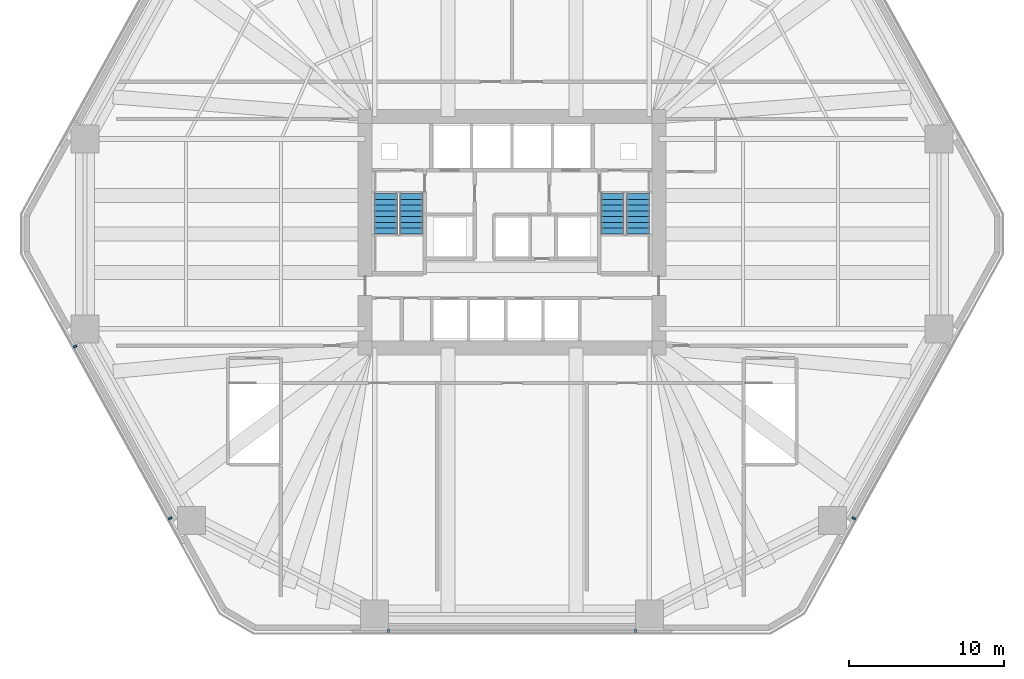
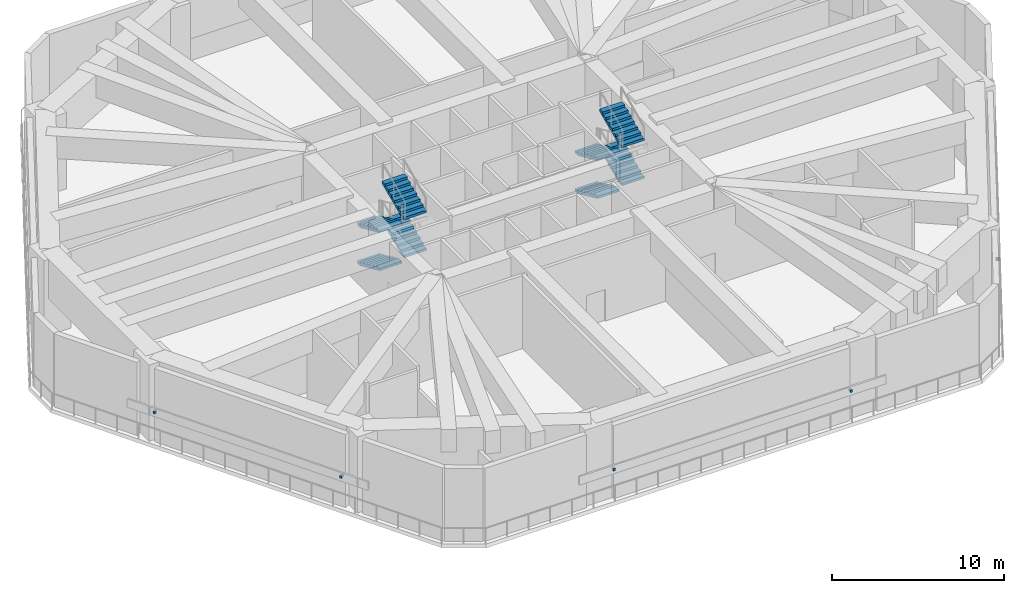
# One storey, part 5 of 12: 8 stair flights, 5 discrete accessories, 2 elements without a shape of their own.
"""IFC4 building model written with IfcOpenShell, lengths in metres."""

import ifcopenshell
import ifcopenshell.guid

model = None  # the IFC model being written
_history = None  # IfcOwnerHistory: only IFC2X3 demands one
_inside = {}  # id of a spatial element -> (the spatial element, [elements in it])
_under = {}  # id of a project, library or spatial element -> (it, [spatial elements below it])
_declared = {}  # id of a project -> (the project, [libraries it declares])
_typed = {}  # id of a type object -> (the type object, [elements of that type])
_made_of = {}  # id of a material, layer set ... -> (it, [elements and type objects made of it])


def new_model(schema):
    """Start an empty IFC model of exactly this schema.

    Asked for "IFC4X3", IfcOpenShell would pick the latest addendum, in which some entities
    have other attributes; the version numbers below select the first issue.
    IFC2X3 requires an IfcOwnerHistory on every rooted entity: one is made here for all.
    """
    global model, _history
    if schema == "IFC4X3":
        model = ifcopenshell.file(schema_version=(4, 3, 0, 0))
    else:
        model = ifcopenshell.file(schema=schema)
    _inside.clear()
    _under.clear()
    _declared.clear()
    _typed.clear()
    _made_of.clear()
    _history = None
    if model.schema == "IFC2X3":
        org = make("IfcOrganization", Name="unknown")
        user = make(
            "IfcPersonAndOrganization",
            ThePerson=make("IfcPerson", FamilyName="unknown"),
            TheOrganization=org,
        )
        app = make(
            "IfcApplication",
            ApplicationDeveloper=org,
            Version="unknown",
            ApplicationFullName="unknown",
            ApplicationIdentifier="unknown",
        )
        _history = make(
            "IfcOwnerHistory",
            OwningUser=user,
            OwningApplication=app,
            ChangeAction="ADDED",
            CreationDate=0,
        )
    return model


def make(cls, **values):
    """One entity of the class cls with the attributes given. An attribute that is None is left unset."""
    return model.create_entity(
        cls, **{name: value for name, value in values.items() if value is not None}
    )


def rooted(cls, **values):
    """An entity with a GlobalId (a new one), such as an element, a storey or a relation."""
    return make(cls, GlobalId=ifcopenshell.guid.new(), OwnerHistory=_history, **values)


def si_unit(unit_type, name, prefix=None):
    """IfcSIUnit, for example si_unit("LENGTHUNIT", "METRE", prefix="MILLI")."""
    return make("IfcSIUnit", UnitType=unit_type, Prefix=prefix, Name=name)


def assignment(units):
    """IfcUnitAssignment: the units of a project."""
    return None if units is None else make("IfcUnitAssignment", Units=units)


def point(xyz):
    """IfcCartesianPoint."""
    return None if xyz is None else make("IfcCartesianPoint", Coordinates=xyz)


def direction(xyz):
    """IfcDirection."""
    return None if xyz is None else make("IfcDirection", DirectionRatios=xyz)


def frame(location, z_axis=None, x_axis=None):
    """IfcAxis2Placement3D, a coordinate frame: its origin and axes. An axis left out is left unset."""
    return make(
        "IfcAxis2Placement3D",
        Location=point(location),
        Axis=direction(z_axis),
        RefDirection=direction(x_axis),
    )


def frame_2d(location, x_axis=None):
    """IfcAxis2Placement2D, a coordinate frame in the plane: its origin and x axis."""
    return make(
        "IfcAxis2Placement2D", Location=point(location), RefDirection=direction(x_axis)
    )


def origin():
    """The frame at (0, 0, 0) with its axes left unset."""
    return frame((0.0, 0.0, 0.0))


def origin_2d():
    """The frame at (0, 0) in the plane with its x axis left unset."""
    return frame_2d((0.0, 0.0))


def place(relative_to, where):
    """IfcLocalPlacement: puts the frame where relative to a parent placement (None: the world)."""
    return make(
        "IfcLocalPlacement", PlacementRelTo=relative_to, RelativePlacement=where
    )


def context(
    kind, dimensions, precision=None, world=None, true_north=None, identifier=None
):
    """IfcGeometricRepresentationContext, for example the 3D "Model" context."""
    return make(
        "IfcGeometricRepresentationContext",
        ContextIdentifier=identifier,
        ContextType=kind,
        CoordinateSpaceDimension=dimensions,
        Precision=precision,
        WorldCoordinateSystem=world,
        TrueNorth=true_north,
    )


def subcontext(parent, identifier, kind, view, scale=None):
    """IfcGeometricRepresentationSubContext, for example "Body" below "Model"."""
    return make(
        "IfcGeometricRepresentationSubContext",
        ContextIdentifier=identifier,
        ContextType=kind,
        ParentContext=parent,
        TargetScale=scale,
        TargetView=view,
    )


def project(units=None, contexts=None):
    """IfcProject with its units and contexts."""
    return rooted(
        "IfcProject",
        Name="project",
        RepresentationContexts=contexts,
        UnitsInContext=assignment(units),
    )


def spatial(cls, under=None, at=None, **own):
    """A site, building, storey or space (cls), placed at a placement, below another one or the project."""
    s = rooted(cls, ObjectPlacement=at, **own)
    if under is not None:
        _under.setdefault(under.id(), (under, []))[1].append(s)
    return s


def polyline(points):
    """IfcPolyline through the points."""
    return make("IfcPolyline", Points=[point(p) for p in points])


def profile(cls, at=None, kind="AREA", **sizes):
    """A parametric profile (cls). Its sizes go by their IFC names, for example OverallWidth=200.0."""
    return make(cls, ProfileType=kind, Position=at, **sizes)


def rectangle(**sizes):
    """IfcRectangleProfileDef."""
    return profile("IfcRectangleProfileDef", **sizes)


def outline(outer, holes=None, kind="AREA"):
    """IfcArbitraryClosedProfileDef: a profile drawn as a closed curve; with holes, ...WithVoids."""
    if holes is None:
        return make("IfcArbitraryClosedProfileDef", ProfileType=kind, OuterCurve=outer)
    return make(
        "IfcArbitraryProfileDefWithVoids",
        ProfileType=kind,
        OuterCurve=outer,
        InnerCurves=holes,
    )


def extrude(swept, where, along, depth):
    """IfcExtrudedAreaSolid: the profile swept, set in the frame where, extruded along a direction by depth."""
    return make(
        "IfcExtrudedAreaSolid",
        SweptArea=swept,
        Position=where,
        ExtrudedDirection=direction(along),
        Depth=depth,
    )


def shape(context_of_items, identifier, shape_type, items):
    """IfcShapeRepresentation: the items that make up one representation, for example the "Body"."""
    return make(
        "IfcShapeRepresentation",
        ContextOfItems=context_of_items,
        RepresentationIdentifier=identifier,
        RepresentationType=shape_type,
        Items=items,
    )


def material(Name=None, Category=None):
    """IfcMaterial."""
    return make("IfcMaterial", Name=Name, Category=Category)


def made_of(thing, what):
    """Note that an element or type object is made of a material, layer set ...; save() writes the relation."""
    if what is not None:
        _made_of.setdefault(what.id(), (what, []))[1].append(thing)
    return thing


def type_object(cls, material=None, **own):
    """A type object (cls), such as IfcWallType, which elements share."""
    return made_of(rooted(cls, **own), material)


def element(
    cls,
    number,
    at=None,
    inside=None,
    cuts=None,
    type_object=None,
    material=None,
    context=None,
    identifier="Body",
    shape_type=None,
    held_by="IfcProductDefinitionShape",
    body=None,
    shapes=None,
    **own,
):
    """One element of the class cls, such as IfcWall. Its Tag is "e" and its number.

    at: its placement. inside: the storey or other place that contains it. cuts: it is an
    opening in that element (IfcRelVoidsElement). A single representation is given by context,
    identifier, shape_type and body (its items); several are given by shapes. held_by: the class
    of the entity that holds the representations. save() writes the other relations.
    """
    e = rooted(cls, Tag="e%d" % number, ObjectPlacement=at, **own)
    if body is not None:
        shapes = [shape(context, identifier, shape_type, body)]
    if shapes is not None:
        e.Representation = make(held_by, Representations=shapes)
    if inside is not None:
        _inside.setdefault(inside.id(), (inside, []))[1].append(e)
    if cuts is not None:
        rooted(
            "IfcRelVoidsElement", RelatingBuildingElement=cuts, RelatedOpeningElement=e
        )
    if type_object is not None:
        _typed.setdefault(type_object.id(), (type_object, []))[1].append(e)
    return made_of(e, material)


def aggregate(whole, parts):
    """IfcRelAggregates: a whole, such as a stair, and the parts it consists of."""
    return rooted("IfcRelAggregates", RelatingObject=whole, RelatedObjects=parts)


def save(model, path):
    """Write the relations noted so far, then the file.

    IfcRelAggregates (storeys below a building ...), IfcRelContainedInSpatialStructure (elements
    in a storey), IfcRelDefinesByType, IfcRelAssociatesMaterial and IfcRelDeclares: one each for
    every whole, place, type object, material and project.
    """
    for whole, parts in _under.values():
        aggregate(whole, parts)
    for where, things in _inside.values():
        rooted(
            "IfcRelContainedInSpatialStructure",
            RelatedElements=things,
            RelatingStructure=where,
        )
    for kind, things in _typed.values():
        rooted("IfcRelDefinesByType", RelatedObjects=things, RelatingType=kind)
    for what, things in _made_of.values():
        rooted("IfcRelAssociatesMaterial", RelatedObjects=things, RelatingMaterial=what)
    for by, libraries in _declared.values():
        rooted("IfcRelDeclares", RelatingContext=by, RelatedDefinitions=libraries)
    model.write(path)


model = new_model("IFC4")

# Units and contexts
model_context = context("Model", 3, precision=1e-05, world=origin(), true_north=direction((0.0, 1.0)))
body_context = subcontext(model_context, "Body", "Model", "MODEL_VIEW")
ifc_project = project(units=[si_unit("LENGTHUNIT", "METRE"), si_unit("AREAUNIT", "SQUARE_METRE"), si_unit("VOLUMEUNIT", "CUBIC_METRE"), si_unit("PLANEANGLEUNIT", "RADIAN"), si_unit("MASSUNIT", "GRAM", prefix="KILO")], contexts=[model_context])

# Site, building, storey
site_placement = place(None, origin())
site = spatial("IfcSite", under=ifc_project, at=site_placement, CompositionType="ELEMENT")
building_placement = place(site_placement, origin())
building = spatial("IfcBuilding", under=site, at=building_placement, Name="Cinnabar Lancet Tower", CompositionType="ELEMENT")
storey_placement = place(building_placement, frame((0.0, 0.0, 19.5)))
storey = spatial("IfcBuildingStorey", under=building, at=storey_placement, Name="L04", CompositionType="ELEMENT", Elevation=19.5)

# Stair, stair flights
ifc_material_1 = material(Name="Concrete C40/50", Category="concrete")
stair_type = type_object("IfcStairType", Name="ST-CORE", PredefinedType="HALF_TURN_STAIR", material=ifc_material_1)
stair_1_placement = place(storey_placement, origin())
stair_1 = element("IfcStair", 1, at=stair_1_placement, inside=storey, type_object=stair_type, Name="L04 ST-1", PredefinedType="HALF_TURN_STAIR")
ifc_material_2 = material(Name="Concrete C40/50", Category="concrete")
stair_flight_type = type_object("IfcStairFlightType", Name="FLIGHT-CORE", PredefinedType="STRAIGHT", material=ifc_material_2)
stair_flight_1_placement = place(storey_placement, frame((24.27490234375, 28.39990234375, 0.0), z_axis=(0.0, 0.0, 1.0), x_axis=(0.0, -1.0, 0.0)))
stair_flight_1 = element("IfcStairFlight", 2, at=stair_flight_1_placement, type_object=stair_flight_type, Name="ST-1 flight 1", NumberOfRisers=8, NumberOfTreads=7, PredefinedType="STRAIGHT", RiserHeight=0.16875, TreadLength=0.3714, context=body_context, shape_type="SweptSolid", body=[
    extrude(outline(polyline([(0.0, 0.0), (0.0, 0.168701171875), (0.371337890625, 0.168701171875), (0.371337890625, 0.33740234375), (0.742919921875, 0.33740234375), (0.742919921875, 0.50634765625), (1.1142578125, 0.50634765625), (1.1142578125, 0.675048828125), (1.485595703125, 0.675048828125), (1.485595703125, 0.84375), (1.85693359375, 0.84375), (1.85693359375, 1.012451171875), (2.228515625, 1.012451171875), (2.228515625, 1.18115234375), (2.599853515625, 1.18115234375), (2.599853515625, 1.35009765625), (2.599853515625, 1.0166015625), (0.3623046875, 0.0), (0.0, 0.0)])), frame((0.0, 0.75, 0.0), z_axis=(0.0, -1.0, 0.0), x_axis=(1.0, 0.0, 0.0)), (0.0, 0.0, 1.0), 1.5),
])
stair_flight_2_placement = place(storey_placement, frame((25.925048828125, 25.80029296875, 1.35009765625), z_axis=(0.0, 0.0, 1.0), x_axis=(0.0, 1.0, 0.0)))
stair_flight_2 = element("IfcStairFlight", 3, at=stair_flight_2_placement, type_object=stair_flight_type, Name="ST-1 flight 2", NumberOfRisers=8, NumberOfTreads=7, PredefinedType="STRAIGHT", RiserHeight=0.16875, TreadLength=0.3714, context=body_context, shape_type="SweptSolid", body=[
    extrude(outline(polyline([(0.0, 0.0), (0.0, 0.168701171875), (0.371337890625, 0.168701171875), (0.371337890625, 0.33740234375), (0.742919921875, 0.33740234375), (0.742919921875, 0.50634765625), (1.1142578125, 0.50634765625), (1.1142578125, 0.675048828125), (1.485595703125, 0.675048828125), (1.485595703125, 0.84375), (1.85693359375, 0.84375), (1.85693359375, 1.012451171875), (2.228515625, 1.012451171875), (2.228515625, 1.18115234375), (2.599853515625, 1.18115234375), (2.599853515625, 1.35009765625), (2.599853515625, 1.0166015625), (0.3623046875, 0.0), (0.0, 0.0)])), frame((0.0, 0.75, 0.0), z_axis=(0.0, -1.0, 0.0), x_axis=(1.0, 0.0, 0.0)), (0.0, 0.0, 1.0), 1.5),
])
stair_flight_3_placement = place(storey_placement, frame((24.27490234375, 28.39990234375, 2.699951171875), z_axis=(0.0, 0.0, 1.0), x_axis=(0.0, -1.0, 0.0)))
stair_flight_3 = element("IfcStairFlight", 4, at=stair_flight_3_placement, type_object=stair_flight_type, Name="ST-1 flight 3", NumberOfRisers=8, NumberOfTreads=7, PredefinedType="STRAIGHT", RiserHeight=0.16875, TreadLength=0.3714, context=body_context, shape_type="SweptSolid", body=[
    extrude(outline(polyline([(0.0, 0.0), (0.0, 0.168701171875), (0.371337890625, 0.168701171875), (0.371337890625, 0.33740234375), (0.742919921875, 0.33740234375), (0.742919921875, 0.50634765625), (1.1142578125, 0.50634765625), (1.1142578125, 0.675048828125), (1.485595703125, 0.675048828125), (1.485595703125, 0.84375), (1.85693359375, 0.84375), (1.85693359375, 1.012451171875), (2.228515625, 1.012451171875), (2.228515625, 1.18115234375), (2.599853515625, 1.18115234375), (2.599853515625, 1.35009765625), (2.599853515625, 1.0166015625), (0.3623046875, 0.0), (0.0, 0.0)])), frame((0.0, 0.75, 0.0), z_axis=(0.0, -1.0, 0.0), x_axis=(1.0, 0.0, 0.0)), (0.0, 0.0, 1.0), 1.5),
])
stair_flight_4_placement = place(storey_placement, frame((25.925048828125, 25.80029296875, 4.050048828125), z_axis=(0.0, 0.0, 1.0), x_axis=(0.0, 1.0, 0.0)))
stair_flight_4 = element("IfcStairFlight", 5, at=stair_flight_4_placement, type_object=stair_flight_type, Name="ST-1 flight 4", NumberOfRisers=8, NumberOfTreads=7, PredefinedType="STRAIGHT", RiserHeight=0.16875, TreadLength=0.3714, context=body_context, shape_type="SweptSolid", body=[
    extrude(outline(polyline([(0.0, 0.0), (0.0, 0.168701171875), (0.371337890625, 0.168701171875), (0.371337890625, 0.33740234375), (0.742919921875, 0.33740234375), (0.742919921875, 0.50634765625), (1.1142578125, 0.50634765625), (1.1142578125, 0.675048828125), (1.485595703125, 0.675048828125), (1.485595703125, 0.84375), (1.85693359375, 0.84375), (1.85693359375, 1.012451171875), (2.228515625, 1.012451171875), (2.228515625, 1.18115234375), (2.599853515625, 1.18115234375), (2.599853515625, 1.35009765625), (2.599853515625, 1.0166015625), (0.3623046875, 0.0), (0.0, 0.0)])), frame((0.0, 0.75, 0.0), z_axis=(0.0, -1.0, 0.0), x_axis=(1.0, 0.0, 0.0)), (0.0, 0.0, 1.0), 1.5),
])
aggregate(stair_1, [stair_flight_1, stair_flight_2, stair_flight_3, stair_flight_4])

stair_2_placement = place(storey_placement, origin())
stair_2 = element("IfcStair", 6, at=stair_2_placement, inside=storey, type_object=stair_type, Name="L04 ST-2", PredefinedType="HALF_TURN_STAIR")
stair_flight_5_placement = place(storey_placement, frame((38.875, 28.39990234375, 0.0), z_axis=(0.0, 0.0, 1.0), x_axis=(0.0, -1.0, 0.0)))
stair_flight_5 = element("IfcStairFlight", 7, at=stair_flight_5_placement, type_object=stair_flight_type, Name="ST-2 flight 1", NumberOfRisers=8, NumberOfTreads=7, PredefinedType="STRAIGHT", RiserHeight=0.16875, TreadLength=0.3714, context=body_context, shape_type="SweptSolid", body=[
    extrude(outline(polyline([(0.0, 0.0), (0.0, 0.168701171875), (0.371337890625, 0.168701171875), (0.371337890625, 0.33740234375), (0.742919921875, 0.33740234375), (0.742919921875, 0.50634765625), (1.1142578125, 0.50634765625), (1.1142578125, 0.675048828125), (1.485595703125, 0.675048828125), (1.485595703125, 0.84375), (1.85693359375, 0.84375), (1.85693359375, 1.012451171875), (2.228515625, 1.012451171875), (2.228515625, 1.18115234375), (2.599853515625, 1.18115234375), (2.599853515625, 1.35009765625), (2.599853515625, 1.0166015625), (0.3623046875, 0.0), (0.0, 0.0)])), frame((0.0, 0.75, 0.0), z_axis=(0.0, -1.0, 0.0), x_axis=(1.0, 0.0, 0.0)), (0.0, 0.0, 1.0), 1.5),
])
stair_flight_6_placement = place(storey_placement, frame((40.52490234375, 25.80029296875, 1.35009765625), z_axis=(0.0, 0.0, 1.0), x_axis=(0.0, 1.0, 0.0)))
stair_flight_6 = element("IfcStairFlight", 8, at=stair_flight_6_placement, type_object=stair_flight_type, Name="ST-2 flight 2", NumberOfRisers=8, NumberOfTreads=7, PredefinedType="STRAIGHT", RiserHeight=0.16875, TreadLength=0.3714, context=body_context, shape_type="SweptSolid", body=[
    extrude(outline(polyline([(0.0, 0.0), (0.0, 0.168701171875), (0.371337890625, 0.168701171875), (0.371337890625, 0.33740234375), (0.742919921875, 0.33740234375), (0.742919921875, 0.50634765625), (1.1142578125, 0.50634765625), (1.1142578125, 0.675048828125), (1.485595703125, 0.675048828125), (1.485595703125, 0.84375), (1.85693359375, 0.84375), (1.85693359375, 1.012451171875), (2.228515625, 1.012451171875), (2.228515625, 1.18115234375), (2.599853515625, 1.18115234375), (2.599853515625, 1.35009765625), (2.599853515625, 1.0166015625), (0.3623046875, 0.0), (0.0, 0.0)])), frame((0.0, 0.75, 0.0), z_axis=(0.0, -1.0, 0.0), x_axis=(1.0, 0.0, 0.0)), (0.0, 0.0, 1.0), 1.5),
])
stair_flight_7_placement = place(storey_placement, frame((38.875, 28.39990234375, 2.699951171875), z_axis=(0.0, 0.0, 1.0), x_axis=(0.0, -1.0, 0.0)))
stair_flight_7 = element("IfcStairFlight", 9, at=stair_flight_7_placement, type_object=stair_flight_type, Name="ST-2 flight 3", NumberOfRisers=8, NumberOfTreads=7, PredefinedType="STRAIGHT", RiserHeight=0.16875, TreadLength=0.3714, context=body_context, shape_type="SweptSolid", body=[
    extrude(outline(polyline([(0.0, 0.0), (0.0, 0.168701171875), (0.371337890625, 0.168701171875), (0.371337890625, 0.33740234375), (0.742919921875, 0.33740234375), (0.742919921875, 0.50634765625), (1.1142578125, 0.50634765625), (1.1142578125, 0.675048828125), (1.485595703125, 0.675048828125), (1.485595703125, 0.84375), (1.85693359375, 0.84375), (1.85693359375, 1.012451171875), (2.228515625, 1.012451171875), (2.228515625, 1.18115234375), (2.599853515625, 1.18115234375), (2.599853515625, 1.35009765625), (2.599853515625, 1.0166015625), (0.3623046875, 0.0), (0.0, 0.0)])), frame((0.0, 0.75, 0.0), z_axis=(0.0, -1.0, 0.0), x_axis=(1.0, 0.0, 0.0)), (0.0, 0.0, 1.0), 1.5),
])
stair_flight_8_placement = place(storey_placement, frame((40.52490234375, 25.80029296875, 4.050048828125), z_axis=(0.0, 0.0, 1.0), x_axis=(0.0, 1.0, 0.0)))
stair_flight_8 = element("IfcStairFlight", 10, at=stair_flight_8_placement, type_object=stair_flight_type, Name="ST-2 flight 4", NumberOfRisers=8, NumberOfTreads=7, PredefinedType="STRAIGHT", RiserHeight=0.16875, TreadLength=0.3714, context=body_context, shape_type="SweptSolid", body=[
    extrude(outline(polyline([(0.0, 0.0), (0.0, 0.168701171875), (0.371337890625, 0.168701171875), (0.371337890625, 0.33740234375), (0.742919921875, 0.33740234375), (0.742919921875, 0.50634765625), (1.1142578125, 0.50634765625), (1.1142578125, 0.675048828125), (1.485595703125, 0.675048828125), (1.485595703125, 0.84375), (1.85693359375, 0.84375), (1.85693359375, 1.012451171875), (2.228515625, 1.012451171875), (2.228515625, 1.18115234375), (2.599853515625, 1.18115234375), (2.599853515625, 1.35009765625), (2.599853515625, 1.0166015625), (0.3623046875, 0.0), (0.0, 0.0)])), frame((0.0, 0.75, 0.0), z_axis=(0.0, -1.0, 0.0), x_axis=(1.0, 0.0, 0.0)), (0.0, 0.0, 1.0), 1.5),
])
aggregate(stair_2, [stair_flight_5, stair_flight_6, stair_flight_7, stair_flight_8])

# Discrete accessories
ifc_material_3 = material(Name="Stainless steel 316 facade fixing bracket", Category="steel")
discrete_accessory_type = type_object("IfcDiscreteAccessoryType", Name="ENV-ACC-BRK-180", PredefinedType="BRACKET", material=ifc_material_3)
for number, where, z_axis, x_axis, name in (
    (11, (24.445068359375, 0.2451171875, 2.06005859375), (0.0, 0.0, 1.0), (1.0, 0.0, 0.0), "L04 Face 1 Louvre Fixing Bracket A"),
    (12, (40.35498046875, 0.2451171875, 2.06005859375), (0.0, 0.0, 1.0), (1.0, 0.0, 0.0), "L04 Face 1 Louvre Fixing Bracket B"),
    (13, (54.404052734375, 7.493896484375, 2.06005859375), (0.0, 0.0, 1.0), (0.483694882518, 0.875236688345, 0.0), "L04 Face 2 Louvre Fixing Bracket A"),
    (14, (4.280029296875, 18.56005859375, 2.06005859375), (0.0, 0.0, 1.0), (0.483694882518, -0.875236688345, 0.0), "L04 Face 6 Louvre Fixing Bracket A"),
    (15, (10.39599609375, 7.493896484375, 2.06005859375), (0.0, 0.0, 1.0), (0.483694882518, -0.875236688345, 0.0), "L04 Face 6 Louvre Fixing Bracket B"),
):
    element("IfcDiscreteAccessory", number, at=place(storey_placement, frame(where, z_axis=z_axis, x_axis=x_axis)), inside=storey, type_object=discrete_accessory_type, Name=name, PredefinedType="BRACKET", context=body_context, shape_type="SweptSolid", body=[
        extrude(rectangle(XDim=0.139892578125, YDim=0.219970703125, at=origin_2d()), origin(), (0.0, 0.0, 1.0), 0.179931640625),
    ])

save(model, "model.ifc")
